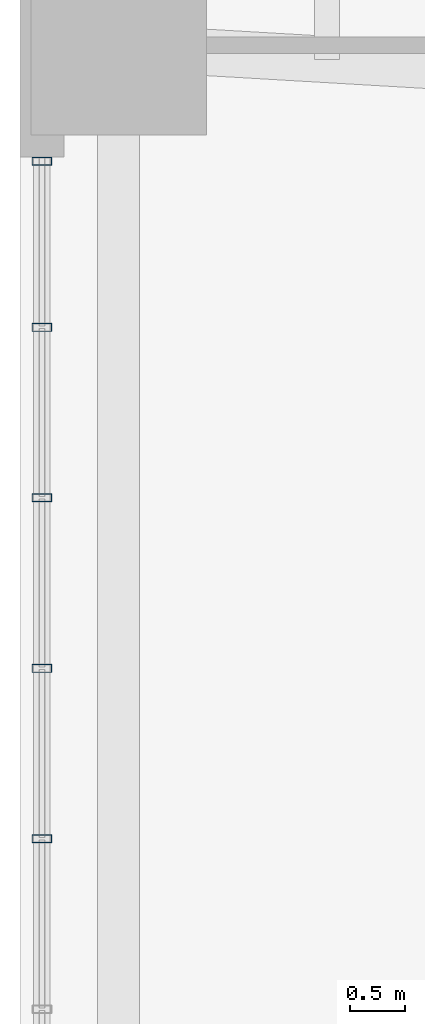
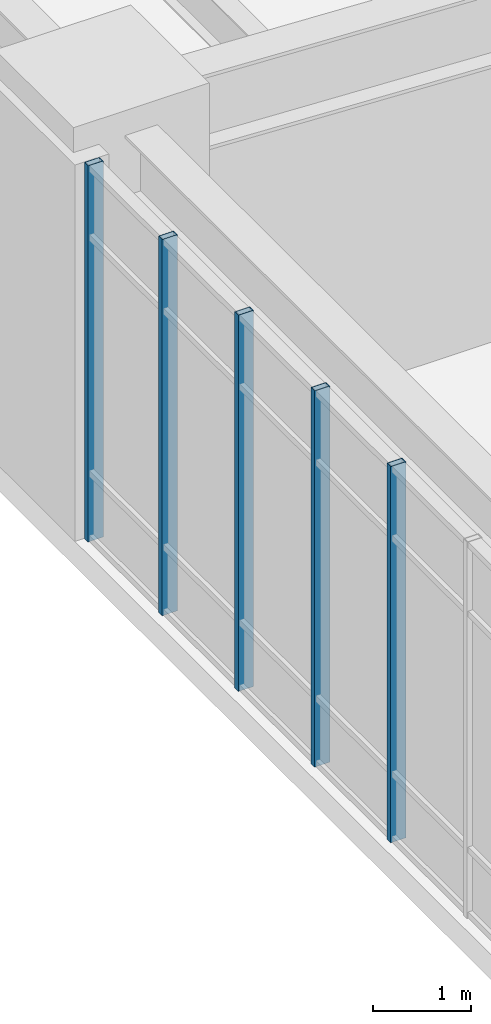
# One storey, part 6 of 18: 5 members, 1 element without a shape of its own.
"""IFC4 building model written with IfcOpenShell, lengths in metres."""

from ifc_helpers import new_model, si_unit, direction, frame, origin, origin_2d, place, context, subcontext, project, spatial, hollow_rectangle, extrude, material, layer, layer_set, material_profile, profile_set, type_object, element, aggregate, save


model = new_model("IFC4")

# Units and contexts
model_context = context("Model", 3, precision=1e-05, world=origin(), true_north=direction((0.0, 1.0)))
body_context = subcontext(model_context, "Body", "Model", "MODEL_VIEW")
ifc_project = project(units=[si_unit("LENGTHUNIT", "METRE"), si_unit("AREAUNIT", "SQUARE_METRE"), si_unit("VOLUMEUNIT", "CUBIC_METRE"), si_unit("PLANEANGLEUNIT", "RADIAN"), si_unit("MASSUNIT", "GRAM", prefix="KILO"), si_unit("THERMODYNAMICTEMPERATUREUNIT", "KELVIN"), si_unit("POWERUNIT", "WATT")], contexts=[model_context])

# Site, building, storey
site_placement = place(None, origin())
site = spatial("IfcSite", under=ifc_project, at=site_placement, CompositionType="ELEMENT")
building_placement = place(site_placement, origin())
building = spatial("IfcBuilding", under=site, at=building_placement, Name="Skarre Station Tower", CompositionType="ELEMENT")
storey_placement = place(building_placement, frame((0.0, 0.0, 11.0)))
storey = spatial("IfcBuildingStorey", under=building, at=storey_placement, Name="L03", CompositionType="ELEMENT", Elevation=11.0)

# Curtain wall, members
ifc_material_1 = material(Name="Thermally Broken Bronze-Anodized Aluminium & Triple Low-E Glass", Category="aluminium")
ifc_layer = layer(ifc_material_1, 0.239990234375, Name="Thermally Broken Bronze-Anodized Aluminium & Triple Low-E Glass")
ifc_layer_set = layer_set([ifc_layer], Name="Thermally Broken Bronze-Anodized Aluminium & Triple Low-E Glass")
curtain_wall_type = type_object("IfcCurtainWallType", Name="Station Concourse Monumental Unitised Curtain Wall", PredefinedType="NOTDEFINED", material=ifc_layer_set)
curtain_wall_placement = place(storey_placement, origin())
curtain_wall = element("IfcCurtainWall", 1, at=curtain_wall_placement, inside=storey, type_object=curtain_wall_type, Name="L03 West Atrium Clerestory Curtain Wall", PredefinedType="NOTDEFINED")
ifc_material_2 = material(Name="Anodized Aluminium 6063-T6", Category="aluminium")
ifc_material_profile = material_profile(ifc_material_2, hollow_rectangle(XDim=0.074951171875, YDim=0.179931640625, WallThickness=0.00390625, at=origin_2d()), Name="Anodized Aluminium 6063-T6")
ifc_profile_set = profile_set([ifc_material_profile], Name="Anodized Aluminium 6063-T6")
member_type = type_object("IfcMemberType", Name="Curtain-Wall Heavy Concourse Mullion 180x75", PredefinedType="MULLION", material=ifc_profile_set)
member_1_placement = place(storey_placement, frame((0.199951171875, 24.778076171875, 0.0), z_axis=(0.0, 0.0, 1.0), x_axis=(0.0, 1.0, 0.0)))
member_1 = element("IfcMember", 2, at=member_1_placement, type_object=member_type, Name="L03 West Atrium Clerestory Curtain Wall Mullion 6", PredefinedType="MULLION", context=body_context, shape_type="SweptSolid", body=[
    extrude(hollow_rectangle(XDim=0.074951171875, YDim=0.179931640625, WallThickness=0.00390625, at=origin_2d()), origin(), (0.0, 0.0, 1.0), 4.68994140625),
])
member_2_placement = place(storey_placement, frame((0.199951171875, 26.3330078125, 0.0), z_axis=(0.0, 0.0, 1.0), x_axis=(0.0, 1.0, 0.0)))
member_2 = element("IfcMember", 3, at=member_2_placement, type_object=member_type, Name="L03 West Atrium Clerestory Curtain Wall Mullion 7", PredefinedType="MULLION", context=body_context, shape_type="SweptSolid", body=[
    extrude(hollow_rectangle(XDim=0.074951171875, YDim=0.179931640625, WallThickness=0.00390625, at=origin_2d()), origin(), (0.0, 0.0, 1.0), 4.68994140625),
])
member_3_placement = place(storey_placement, frame((0.199951171875, 27.888916015625, 0.0), z_axis=(0.0, 0.0, 1.0), x_axis=(0.0, 1.0, 0.0)))
member_3 = element("IfcMember", 4, at=member_3_placement, type_object=member_type, Name="L03 West Atrium Clerestory Curtain Wall Mullion 8", PredefinedType="MULLION", context=body_context, shape_type="SweptSolid", body=[
    extrude(hollow_rectangle(XDim=0.074951171875, YDim=0.179931640625, WallThickness=0.00390625, at=origin_2d()), origin(), (0.0, 0.0, 1.0), 4.68994140625),
])
member_4_placement = place(storey_placement, frame((0.199951171875, 29.444091796875, 0.0), z_axis=(0.0, 0.0, 1.0), x_axis=(0.0, 1.0, 0.0)))
member_4 = element("IfcMember", 5, at=member_4_placement, type_object=member_type, Name="L03 West Atrium Clerestory Curtain Wall Mullion 9", PredefinedType="MULLION", context=body_context, shape_type="SweptSolid", body=[
    extrude(hollow_rectangle(XDim=0.074951171875, YDim=0.179931640625, WallThickness=0.00390625, at=origin_2d()), origin(), (0.0, 0.0, 1.0), 4.68994140625),
])
member_5_placement = place(storey_placement, frame((0.199951171875, 30.9599609375, 0.0), z_axis=(0.0, 0.0, 1.0), x_axis=(0.0, 1.0, 0.0)))
member_5 = element("IfcMember", 6, at=member_5_placement, type_object=member_type, Name="L03 West Atrium Clerestory Curtain Wall Mullion 10", PredefinedType="MULLION", context=body_context, shape_type="SweptSolid", body=[
    extrude(hollow_rectangle(XDim=0.074951171875, YDim=0.179931640625, WallThickness=0.00390625, at=origin_2d()), origin(), (0.0, 0.0, 1.0), 4.68994140625),
])
aggregate(curtain_wall, [member_1, member_2, member_3, member_4, member_5])

save(model, "model.ifc")
